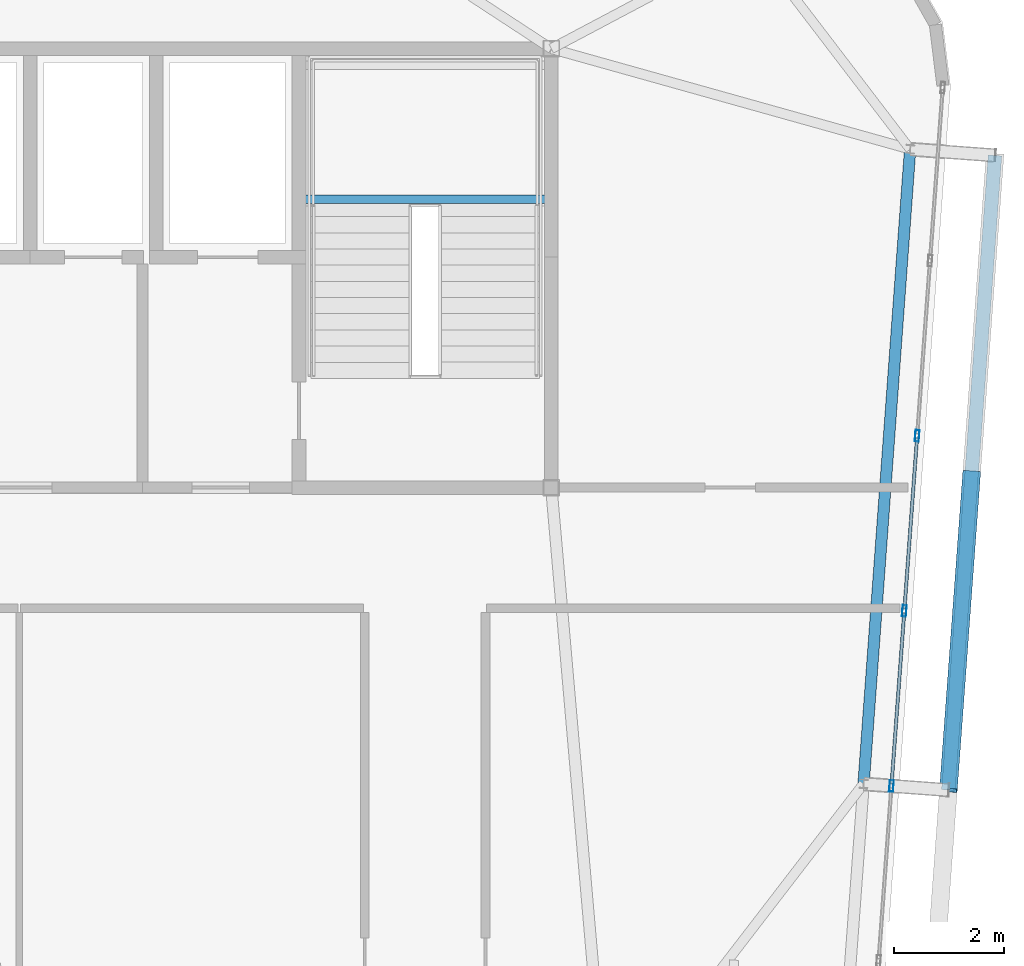
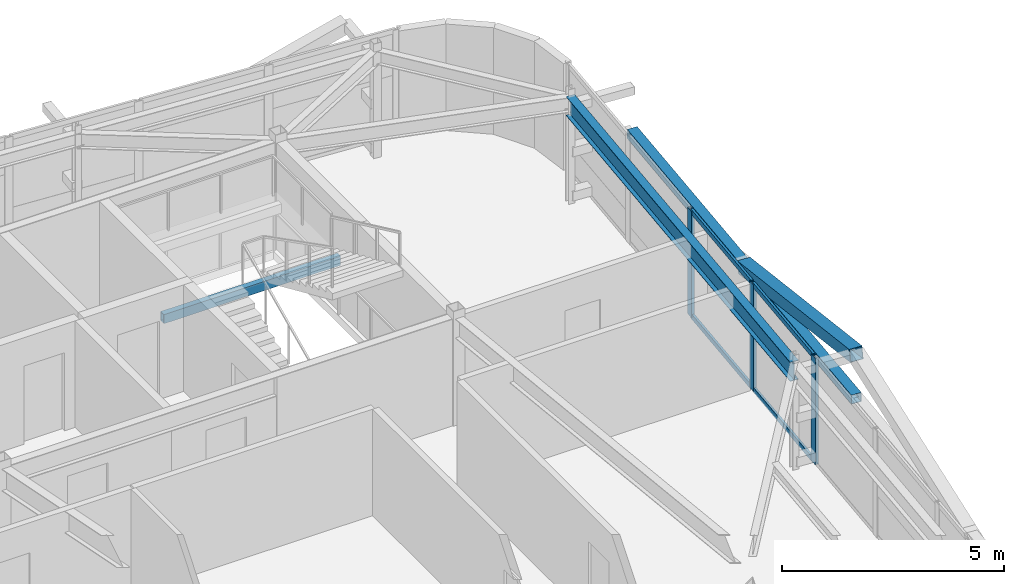
# One storey, part 23 of 42: 9 members, 2 beams, 1 element without a shape of its own.
"""IFC4 building model written with IfcOpenShell, lengths in metres."""

from ifc_helpers import new_model, si_unit, direction, frame, origin, origin_2d, place, context, subcontext, project, spatial, hollow_rectangle, i_section, extrude, source, transform, mapped, material, layer, layer_set, material_profile, profile_set, type_object, element, aggregate, save


model = new_model("IFC4")

# Units and contexts
model_context = context("Model", 3, precision=1e-05, world=origin(), true_north=direction((0.0, 1.0)))
body_context = subcontext(model_context, "Body", "Model", "MODEL_VIEW")
ifc_project = project(units=[si_unit("LENGTHUNIT", "METRE"), si_unit("AREAUNIT", "SQUARE_METRE"), si_unit("VOLUMEUNIT", "CUBIC_METRE"), si_unit("PLANEANGLEUNIT", "RADIAN"), si_unit("MASSUNIT", "GRAM", prefix="KILO")], contexts=[model_context])

# Site, building, storey
site_placement = place(None, origin())
site = spatial("IfcSite", under=ifc_project, at=site_placement, CompositionType="ELEMENT")
building_placement = place(site_placement, origin())
building = spatial("IfcBuilding", under=site, at=building_placement, Name="Taldren Reach Tower", CompositionType="ELEMENT")
storey_placement = place(building_placement, frame((0.0, 0.0, 224.0)))
storey = spatial("IfcBuildingStorey", under=building, at=storey_placement, Name="L68", CompositionType="ELEMENT", Elevation=224.0)

# Beam
ifc_material_1 = material(Name="Steel Gr 350 (350PLUS)", Category="steel")
ifc_material_profile_1 = material_profile(ifc_material_1, i_section(OverallWidth=0.208984375, OverallDepth=0.528076171875, WebThickness=0.009521484375, FlangeThickness=0.01318359375, at=origin_2d()), Name="530UB82.0")
ifc_profile_set_1 = profile_set([ifc_material_profile_1], Name="Steel Gr 350 (350PLUS)")
beam_type_1 = type_object("IfcBeamType", Name="SP-UB530B", PredefinedType="SPANDREL", material=ifc_profile_set_1)
shared_shape_1 = source(origin(), body_context, "Body", "SweptSolid", [
    extrude(i_section(OverallWidth=0.208984375, OverallDepth=0.528076171875, WebThickness=0.009521484375, FlangeThickness=0.01318359375, at=origin_2d()), origin(), (0.0, 0.0, 1.0), 11.60009765625),
])
beam_1_placement = place(storey_placement, frame((56.69140625, 18.599853515625, 2.666015625), z_axis=(0.073221234109, 0.997315722766, 0.0), x_axis=(-0.997315722766, 0.073221234109, 0.0)))
element("IfcBeam", 1, at=beam_1_placement, inside=storey, type_object=beam_type_1, Name="Perimeter spandrel B5 E2-E3 L68", PredefinedType="SPANDREL", context=body_context, shape_type="MappedRepresentation", body=[
    mapped(shared_shape_1, transform((0.0, 0.0, 0.0), scale=1.0)),
])

# Members
ifc_material_2 = material(Name="Steel Gr 450 (C450L0)", Category="steel")
ifc_material_profile_2 = material_profile(ifc_material_2, hollow_rectangle(XDim=0.324951171875, YDim=0.324951171875, WallThickness=0.0126953125, at=origin_2d()), Name="325x325x12.7SHS")
ifc_profile_set_2 = profile_set([ifc_material_profile_2], Name="Steel Gr 450 (C450L0)")
member_type_1 = type_object("IfcMemberType", Name="MB-BR324", PredefinedType="BRACE", material=ifc_profile_set_2)
shared_shape_2 = source(origin(), body_context, "Body", "SweptSolid", [
    extrude(hollow_rectangle(XDim=0.324951171875, YDim=0.324951171875, WallThickness=0.0126953125, at=origin_2d()), origin(), (0.0, 0.0, 1.0), 5.92578125),
])
member_1_placement = place(storey_placement, frame((58.661865234375, 24.270751953125, 1.43505859375), z_axis=(-0.071686540919, -0.976131732187, 0.205007027365), x_axis=(0.997314185625, -0.073242167855, 0.0)))
element("IfcMember", 2, at=member_1_placement, inside=storey, type_object=member_type_1, Name="Exoskeleton Diagrid Brace B5-E2 L68", PredefinedType="BRACE", context=body_context, shape_type="MappedRepresentation", body=[
    mapped(shared_shape_2, transform((0.0, 0.0, 0.0), scale=1.0)),
])
ifc_material_3 = material(Name="Steel Gr 350 (C350L0)", Category="steel")
ifc_material_profile_3 = material_profile(ifc_material_3, hollow_rectangle(XDim=0.25, YDim=0.25, WallThickness=0.010009765625, at=origin_2d()), Name="250x250x10.0SHS")
ifc_profile_set_3 = profile_set([ifc_material_profile_3], Name="Steel Gr 350 (C350L0)")
member_type_2 = type_object("IfcMemberType", Name="MB-POST250", PredefinedType="POST", material=ifc_profile_set_3)
shared_shape_3 = source(origin(), body_context, "Body", "SweptSolid", [
    extrude(hollow_rectangle(XDim=0.25, YDim=0.25, WallThickness=0.010009765625, at=origin_2d()), origin(), (0.0, 0.0, 1.0), 11.60009765625),
])
member_2_placement = place(storey_placement, frame((58.237060546875, 18.486328125, 1.43505859375), z_axis=(0.073242167855, 0.997314185625, 0.0), x_axis=(-0.997314185625, 0.073242167855, 0.0)))
element("IfcMember", 3, at=member_2_placement, inside=storey, type_object=member_type_2, Name="Exoskeleton mid-height ring chord B5-E2 L68", PredefinedType="POST", context=body_context, shape_type="MappedRepresentation", body=[
    mapped(shared_shape_3, transform((0.0, 0.0, 0.0), scale=1.0)),
])

# Curtain wall, members
ifc_material_4 = material(Name="Aluminium and Low-E Glass Unitised System", Category="aluminium")
ifc_layer = layer(ifc_material_4, 0.159912109375)
ifc_layer_set = layer_set([ifc_layer], Name="Aluminium and Low-E Glass Unitised System")
curtain_wall_type = type_object("IfcCurtainWallType", Name="CW-SYS-6", PredefinedType="NOTDEFINED", material=ifc_layer_set)
curtain_wall_placement = place(storey_placement, origin())
curtain_wall = element("IfcCurtainWall", 4, at=curtain_wall_placement, inside=storey, type_object=curtain_wall_type, Name="Unitised curtain wall CW-L68-E", PredefinedType="NOTDEFINED")
ifc_material_5 = material(Name="Anodised Aluminium 6063-T6", Category="aluminium")
ifc_material_profile_4 = material_profile(ifc_material_5, hollow_rectangle(XDim=0.074951171875, YDim=0.2099609375, WallThickness=0.00439453125, at=origin_2d()), Name="ALU-210x75x4.5RHS")
ifc_profile_set_4 = profile_set([ifc_material_profile_4], Name="Anodised Aluminium 6063-T6")
member_type_3 = type_object("IfcMemberType", Name="CW-MUL-200", PredefinedType="MULLION", material=ifc_profile_set_4)
shared_shape_4 = source(origin(), body_context, "Body", "SweptSolid", [
    extrude(hollow_rectangle(XDim=0.074951171875, YDim=0.2099609375, WallThickness=0.00439453125, at=origin_2d()), origin(), (0.0, 0.0, 1.0), 2.929931640625),
])
member_3_placement = place(storey_placement, frame((57.199951171875, 18.5625, 0.0), z_axis=(0.0, 0.0, 1.0), x_axis=(-0.997314470951, 0.073238282558, 0.0)))
member_3 = element("IfcMember", 5, at=member_3_placement, type_object=member_type_3, Name="CW-6 mullion 5", PredefinedType="MULLION", context=body_context, shape_type="MappedRepresentation", body=[
    mapped(shared_shape_4, transform((0.0, 0.0, 0.0), scale=1.0)),
])
member_4_placement = place(storey_placement, frame((57.434326171875, 21.75390625, 0.0), z_axis=(0.0, 0.0, 1.0), x_axis=(-0.997314470951, 0.073238282558, 0.0)))
member_4 = element("IfcMember", 6, at=member_4_placement, type_object=member_type_3, Name="CW-6 mullion 6", PredefinedType="MULLION", context=body_context, shape_type="MappedRepresentation", body=[
    mapped(shared_shape_4, transform((0.0, 0.0, 0.0), scale=1.0)),
])
member_5_placement = place(storey_placement, frame((57.668701171875, 24.9453125, 0.0), z_axis=(0.0, 0.0, 1.0), x_axis=(-0.997314470951, 0.073238282558, 0.0)))
member_5 = element("IfcMember", 7, at=member_5_placement, type_object=member_type_3, Name="CW-6 mullion 7", PredefinedType="MULLION", context=body_context, shape_type="MappedRepresentation", body=[
    mapped(shared_shape_4, transform((0.0, 0.0, 0.0), scale=1.0)),
])
ifc_material_profile_5 = material_profile(ifc_material_5, hollow_rectangle(XDim=0.06005859375, YDim=0.135009765625, WallThickness=0.00341796875, at=origin_2d()), Name="ALU-135x60x3.5RHS")
ifc_profile_set_5 = profile_set([ifc_material_profile_5], Name="Anodised Aluminium 6063-T6")
member_type_4 = type_object("IfcMemberType", Name="CW-TRN-150", PredefinedType="USERDEFINED", material=ifc_profile_set_5)
shared_shape_5 = source(origin(), body_context, "Body", "SweptSolid", [
    extrude(hollow_rectangle(XDim=0.06005859375, YDim=0.135009765625, WallThickness=0.00341796875, at=origin_2d()), origin(), (0.0, 0.0, 1.0), 3.124755859375),
])
member_6_placement = place(storey_placement, frame((57.20263671875, 18.599853515625, 0.030029296875), z_axis=(0.073284589347, 0.997311069308, 0.0), x_axis=(-0.997311069308, 0.073284589347, 0.0)))
member_6 = element("IfcMember", 8, at=member_6_placement, type_object=member_type_4, Name="CW-6 transom 5.1", ObjectType="TRANSOM", PredefinedType="USERDEFINED", context=body_context, shape_type="MappedRepresentation", body=[
    mapped(shared_shape_5, transform((0.0, 0.0, 0.0), scale=1.0)),
])
member_7_placement = place(storey_placement, frame((57.20263671875, 18.599853515625, 2.89990234375), z_axis=(0.073284589347, 0.997311069308, 0.0), x_axis=(-0.997311069308, 0.073284589347, 0.0)))
member_7 = element("IfcMember", 9, at=member_7_placement, type_object=member_type_4, Name="CW-6 transom 5.2", ObjectType="TRANSOM", PredefinedType="USERDEFINED", context=body_context, shape_type="MappedRepresentation", body=[
    mapped(shared_shape_5, transform((0.0, 0.0, 0.0), scale=1.0)),
])
member_8_placement = place(storey_placement, frame((57.43701171875, 21.791259765625, 0.030029296875), z_axis=(0.073284589347, 0.997311069308, 0.0), x_axis=(-0.997311069308, 0.073284589347, 0.0)))
member_8 = element("IfcMember", 10, at=member_8_placement, type_object=member_type_4, Name="CW-6 transom 6.1", ObjectType="TRANSOM", PredefinedType="USERDEFINED", context=body_context, shape_type="MappedRepresentation", body=[
    mapped(shared_shape_5, transform((0.0, 0.0, 0.0), scale=1.0)),
])
member_9_placement = place(storey_placement, frame((57.43701171875, 21.791259765625, 2.89990234375), z_axis=(0.073284589347, 0.997311069308, 0.0), x_axis=(-0.997311069308, 0.073284589347, 0.0)))
member_9 = element("IfcMember", 11, at=member_9_placement, type_object=member_type_4, Name="CW-6 transom 6.2", ObjectType="TRANSOM", PredefinedType="USERDEFINED", context=body_context, shape_type="MappedRepresentation", body=[
    mapped(shared_shape_5, transform((0.0, 0.0, 0.0), scale=1.0)),
])
aggregate(curtain_wall, [member_3, member_4, member_5, member_6, member_7, member_8, member_9])

# Beam
ifc_material_profile_6 = material_profile(ifc_material_3, hollow_rectangle(XDim=0.14990234375, YDim=0.25, WallThickness=0.009033203125, at=origin_2d()), Name="250x150x9.0RHS")
ifc_profile_set_6 = profile_set([ifc_material_profile_6], Name="Steel Gr 350 (C350L0)")
beam_type_2 = type_object("IfcBeamType", Name="LN-RHS250", PredefinedType="LINTEL", material=ifc_profile_set_6)
shared_shape_6 = source(origin(), body_context, "Body", "SweptSolid", [
    extrude(hollow_rectangle(XDim=0.14990234375, YDim=0.25, WallThickness=0.009033203125, at=origin_2d()), origin(), (0.0, 0.0, 1.0), 4.60009765625),
])
beam_2_placement = place(storey_placement, frame((46.39990234375, 29.2548828125, 1.27001953125), z_axis=(1.0, 0.0, 0.0), x_axis=(0.0, 1.0, 0.0)))
element("IfcBeam", 12, at=beam_2_placement, inside=storey, type_object=beam_type_2, Name="Stair half-landing support beam ST2-L68-1", PredefinedType="LINTEL", context=body_context, shape_type="MappedRepresentation", body=[
    mapped(shared_shape_6, transform((0.0, 0.0, 0.0), scale=1.0)),
])

save(model, "model.ifc")
